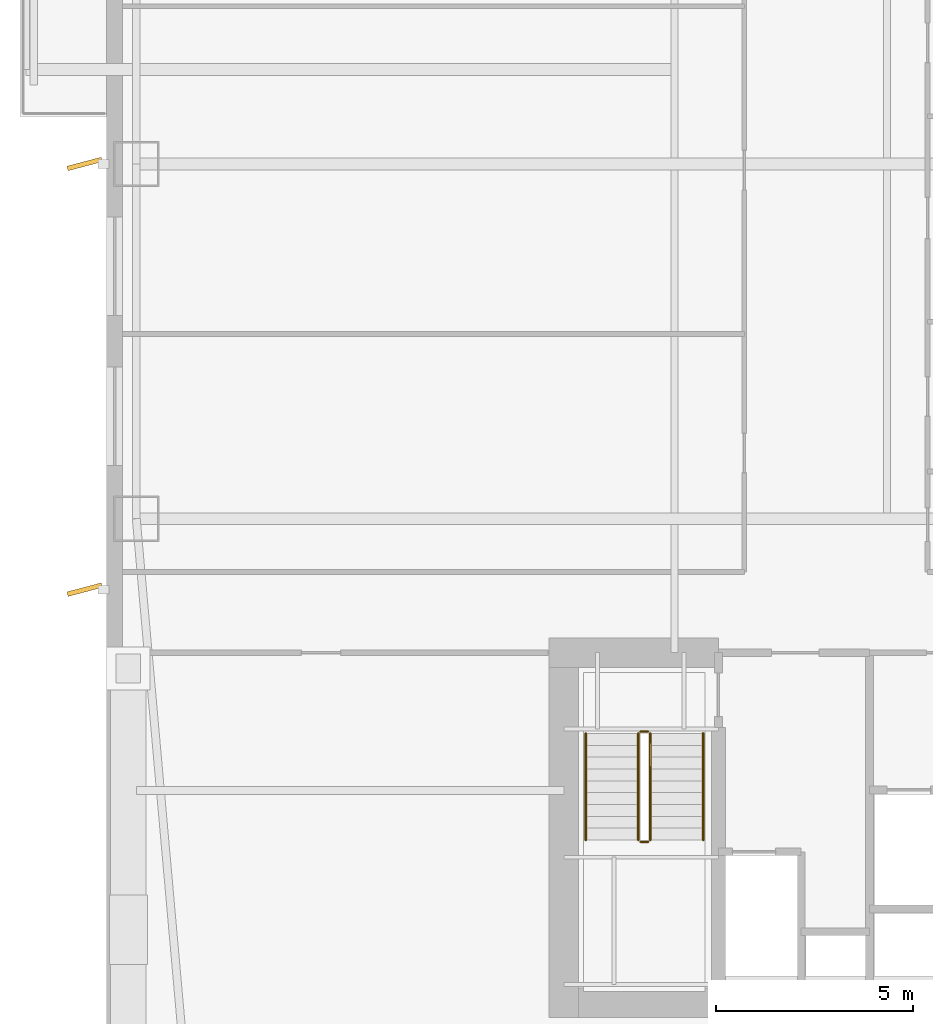
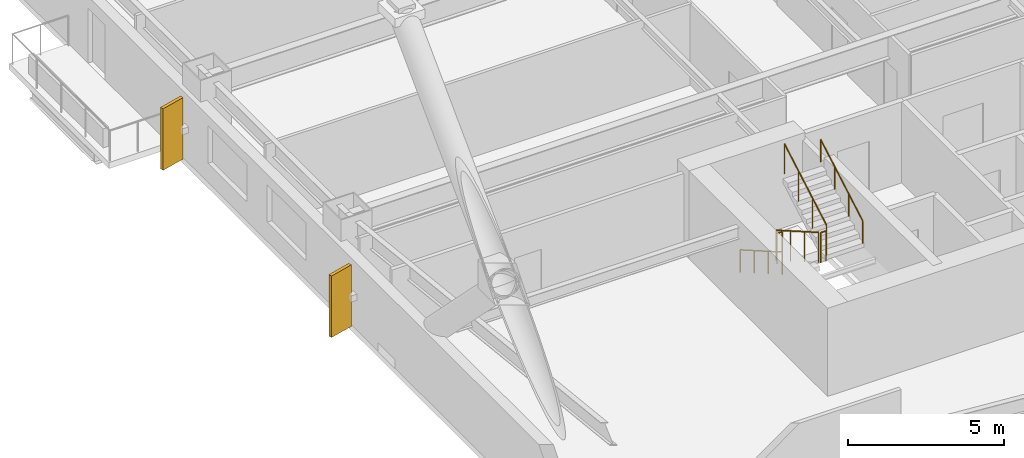
# One storey, part 13 of 18: 6 railings, 2 shading devices.
"""IFC4 building model written with IfcOpenShell, lengths in metres."""

import ifcopenshell
import ifcopenshell.guid

model = None  # the IFC model being written
_history = None  # IfcOwnerHistory: only IFC2X3 demands one
_inside = {}  # id of a spatial element -> (the spatial element, [elements in it])
_under = {}  # id of a project, library or spatial element -> (it, [spatial elements below it])
_declared = {}  # id of a project -> (the project, [libraries it declares])
_typed = {}  # id of a type object -> (the type object, [elements of that type])
_made_of = {}  # id of a material, layer set ... -> (it, [elements and type objects made of it])


def new_model(schema):
    """Start an empty IFC model of exactly this schema.

    Asked for "IFC4X3", IfcOpenShell would pick the latest addendum, in which some entities
    have other attributes; the version numbers below select the first issue.
    IFC2X3 requires an IfcOwnerHistory on every rooted entity: one is made here for all.
    """
    global model, _history
    if schema == "IFC4X3":
        model = ifcopenshell.file(schema_version=(4, 3, 0, 0))
    else:
        model = ifcopenshell.file(schema=schema)
    _inside.clear()
    _under.clear()
    _declared.clear()
    _typed.clear()
    _made_of.clear()
    _history = None
    if model.schema == "IFC2X3":
        org = make("IfcOrganization", Name="unknown")
        user = make(
            "IfcPersonAndOrganization",
            ThePerson=make("IfcPerson", FamilyName="unknown"),
            TheOrganization=org,
        )
        app = make(
            "IfcApplication",
            ApplicationDeveloper=org,
            Version="unknown",
            ApplicationFullName="unknown",
            ApplicationIdentifier="unknown",
        )
        _history = make(
            "IfcOwnerHistory",
            OwningUser=user,
            OwningApplication=app,
            ChangeAction="ADDED",
            CreationDate=0,
        )
    return model


def make(cls, **values):
    """One entity of the class cls with the attributes given. An attribute that is None is left unset."""
    return model.create_entity(
        cls, **{name: value for name, value in values.items() if value is not None}
    )


def rooted(cls, **values):
    """An entity with a GlobalId (a new one), such as an element, a storey or a relation."""
    return make(cls, GlobalId=ifcopenshell.guid.new(), OwnerHistory=_history, **values)


def si_unit(unit_type, name, prefix=None):
    """IfcSIUnit, for example si_unit("LENGTHUNIT", "METRE", prefix="MILLI")."""
    return make("IfcSIUnit", UnitType=unit_type, Prefix=prefix, Name=name)


def assignment(units):
    """IfcUnitAssignment: the units of a project."""
    return None if units is None else make("IfcUnitAssignment", Units=units)


def point(xyz):
    """IfcCartesianPoint."""
    return None if xyz is None else make("IfcCartesianPoint", Coordinates=xyz)


def direction(xyz):
    """IfcDirection."""
    return None if xyz is None else make("IfcDirection", DirectionRatios=xyz)


def frame(location, z_axis=None, x_axis=None):
    """IfcAxis2Placement3D, a coordinate frame: its origin and axes. An axis left out is left unset."""
    return make(
        "IfcAxis2Placement3D",
        Location=point(location),
        Axis=direction(z_axis),
        RefDirection=direction(x_axis),
    )


def frame_2d(location, x_axis=None):
    """IfcAxis2Placement2D, a coordinate frame in the plane: its origin and x axis."""
    return make(
        "IfcAxis2Placement2D", Location=point(location), RefDirection=direction(x_axis)
    )


def origin():
    """The frame at (0, 0, 0) with its axes left unset."""
    return frame((0.0, 0.0, 0.0))


def origin_2d():
    """The frame at (0, 0) in the plane with its x axis left unset."""
    return frame_2d((0.0, 0.0))


def place(relative_to, where):
    """IfcLocalPlacement: puts the frame where relative to a parent placement (None: the world)."""
    return make(
        "IfcLocalPlacement", PlacementRelTo=relative_to, RelativePlacement=where
    )


def context(
    kind, dimensions, precision=None, world=None, true_north=None, identifier=None
):
    """IfcGeometricRepresentationContext, for example the 3D "Model" context."""
    return make(
        "IfcGeometricRepresentationContext",
        ContextIdentifier=identifier,
        ContextType=kind,
        CoordinateSpaceDimension=dimensions,
        Precision=precision,
        WorldCoordinateSystem=world,
        TrueNorth=true_north,
    )


def subcontext(parent, identifier, kind, view, scale=None):
    """IfcGeometricRepresentationSubContext, for example "Body" below "Model"."""
    return make(
        "IfcGeometricRepresentationSubContext",
        ContextIdentifier=identifier,
        ContextType=kind,
        ParentContext=parent,
        TargetScale=scale,
        TargetView=view,
    )


def project(units=None, contexts=None):
    """IfcProject with its units and contexts."""
    return rooted(
        "IfcProject",
        Name="project",
        RepresentationContexts=contexts,
        UnitsInContext=assignment(units),
    )


def spatial(cls, under=None, at=None, **own):
    """A site, building, storey or space (cls), placed at a placement, below another one or the project."""
    s = rooted(cls, ObjectPlacement=at, **own)
    if under is not None:
        _under.setdefault(under.id(), (under, []))[1].append(s)
    return s


def profile(cls, at=None, kind="AREA", **sizes):
    """A parametric profile (cls). Its sizes go by their IFC names, for example OverallWidth=200.0."""
    return make(cls, ProfileType=kind, Position=at, **sizes)


def rectangle(**sizes):
    """IfcRectangleProfileDef."""
    return profile("IfcRectangleProfileDef", **sizes)


def circle(**sizes):
    """IfcCircleProfileDef."""
    return profile("IfcCircleProfileDef", **sizes)


def extrude(swept, where, along, depth):
    """IfcExtrudedAreaSolid: the profile swept, set in the frame where, extruded along a direction by depth."""
    return make(
        "IfcExtrudedAreaSolid",
        SweptArea=swept,
        Position=where,
        ExtrudedDirection=direction(along),
        Depth=depth,
    )


def shape(context_of_items, identifier, shape_type, items):
    """IfcShapeRepresentation: the items that make up one representation, for example the "Body"."""
    return make(
        "IfcShapeRepresentation",
        ContextOfItems=context_of_items,
        RepresentationIdentifier=identifier,
        RepresentationType=shape_type,
        Items=items,
    )


def material(Name=None, Category=None):
    """IfcMaterial."""
    return make("IfcMaterial", Name=Name, Category=Category)


def layer(
    of_material, thickness, ventilated=None, Name=None, Category=None, Priority=None
):
    """IfcMaterialLayer: one layer of a wall or slab, of a material (None: an air gap)."""
    return make(
        "IfcMaterialLayer",
        Material=of_material,
        LayerThickness=thickness,
        IsVentilated=ventilated,
        Name=Name,
        Category=Category,
        Priority=Priority,
    )


def layer_set(layers, Name=None):
    """IfcMaterialLayerSet."""
    return make("IfcMaterialLayerSet", MaterialLayers=layers, LayerSetName=Name)


def made_of(thing, what):
    """Note that an element or type object is made of a material, layer set ...; save() writes the relation."""
    if what is not None:
        _made_of.setdefault(what.id(), (what, []))[1].append(thing)
    return thing


def type_object(cls, material=None, **own):
    """A type object (cls), such as IfcWallType, which elements share."""
    return made_of(rooted(cls, **own), material)


def element(
    cls,
    number,
    at=None,
    inside=None,
    cuts=None,
    type_object=None,
    material=None,
    context=None,
    identifier="Body",
    shape_type=None,
    held_by="IfcProductDefinitionShape",
    body=None,
    shapes=None,
    **own,
):
    """One element of the class cls, such as IfcWall. Its Tag is "e" and its number.

    at: its placement. inside: the storey or other place that contains it. cuts: it is an
    opening in that element (IfcRelVoidsElement). A single representation is given by context,
    identifier, shape_type and body (its items); several are given by shapes. held_by: the class
    of the entity that holds the representations. save() writes the other relations.
    """
    e = rooted(cls, Tag="e%d" % number, ObjectPlacement=at, **own)
    if body is not None:
        shapes = [shape(context, identifier, shape_type, body)]
    if shapes is not None:
        e.Representation = make(held_by, Representations=shapes)
    if inside is not None:
        _inside.setdefault(inside.id(), (inside, []))[1].append(e)
    if cuts is not None:
        rooted(
            "IfcRelVoidsElement", RelatingBuildingElement=cuts, RelatedOpeningElement=e
        )
    if type_object is not None:
        _typed.setdefault(type_object.id(), (type_object, []))[1].append(e)
    return made_of(e, material)


def aggregate(whole, parts):
    """IfcRelAggregates: a whole, such as a stair, and the parts it consists of."""
    return rooted("IfcRelAggregates", RelatingObject=whole, RelatedObjects=parts)


def save(model, path):
    """Write the relations noted so far, then the file.

    IfcRelAggregates (storeys below a building ...), IfcRelContainedInSpatialStructure (elements
    in a storey), IfcRelDefinesByType, IfcRelAssociatesMaterial and IfcRelDeclares: one each for
    every whole, place, type object, material and project.
    """
    for whole, parts in _under.values():
        aggregate(whole, parts)
    for where, things in _inside.values():
        rooted(
            "IfcRelContainedInSpatialStructure",
            RelatedElements=things,
            RelatingStructure=where,
        )
    for kind, things in _typed.values():
        rooted("IfcRelDefinesByType", RelatedObjects=things, RelatingType=kind)
    for what, things in _made_of.values():
        rooted("IfcRelAssociatesMaterial", RelatedObjects=things, RelatingMaterial=what)
    for by, libraries in _declared.values():
        rooted("IfcRelDeclares", RelatingContext=by, RelatedDefinitions=libraries)
    model.write(path)


model = new_model("IFC4")

# Units and contexts
model_context = context("Model", 3, precision=1e-05, world=origin(), true_north=direction((0.0, 1.0)))
body_context = subcontext(model_context, "Body", "Model", "MODEL_VIEW")
ifc_project = project(units=[si_unit("LENGTHUNIT", "METRE"), si_unit("AREAUNIT", "SQUARE_METRE"), si_unit("VOLUMEUNIT", "CUBIC_METRE"), si_unit("PLANEANGLEUNIT", "RADIAN"), si_unit("MASSUNIT", "GRAM", prefix="KILO")], contexts=[model_context])

# Site, building, storey
site_placement = place(None, origin())
site = spatial("IfcSite", under=ifc_project, at=site_placement, CompositionType="ELEMENT")
building_placement = place(site_placement, origin())
building = spatial("IfcBuilding", under=site, at=building_placement, Name="Qiaolan Cultural Towers", CompositionType="ELEMENT")
storey_placement = place(building_placement, frame((0.0, 0.0, 57.5)))
storey = spatial("IfcBuildingStorey", under=building, at=storey_placement, Name="L13", CompositionType="ELEMENT", Elevation=57.5)

# Railings
ifc_material_1 = material(Name="Galvanized Painted Steel Stair Guardrail", Category="steel")
railing_type_1 = type_object("IfcRailingType", Name="RL-STAIR-GRD", PredefinedType="GUARDRAIL", material=ifc_material_1)
railing_1_placement = place(storey_placement, frame((23.68994140625, 19.550048828125, 0.172607421875)))
element("IfcRailing", 1, at=railing_1_placement, inside=storey, type_object=railing_type_1, Name="L13 ST-W1 stair guard 1", PredefinedType="GUARDRAIL", context=body_context, shape_type="SweptSolid", body=[
    extrude(circle(Radius=0.02392578125, at=origin_2d()), frame((0.0, 0.0, 1.17578125), z_axis=(0.0, -0.866903762492, 0.498475542607), x_axis=(1.0, 0.0, 0.0)), (0.0, 0.0, 1.0), 3.114501953125),
    extrude(circle(Radius=0.02099609375, at=origin_2d()), origin(), (0.0, 0.0, 1.0), 1.15185546875),
    extrude(circle(Radius=0.02099609375, at=origin_2d()), frame((0.0, -0.89990234375, 0.517578125)), (0.0, 0.0, 1.0), 1.15185546875),
    extrude(circle(Radius=0.02099609375, at=origin_2d()), frame((0.0, -1.800048828125, 1.034912109375)), (0.0, 0.0, 1.0), 1.15185546875),
    extrude(circle(Radius=0.02099609375, at=origin_2d()), frame((0.0, -2.699951171875, 1.552490234375)), (0.0, 0.0, 1.0), 1.15185546875),
])
railing_2_placement = place(storey_placement, frame((23.739990234375, 16.800048828125, 1.72509765625)))
element("IfcRailing", 2, at=railing_2_placement, inside=storey, type_object=railing_type_1, Name="L13 ST-W1 stair guard 2", PredefinedType="GUARDRAIL", context=body_context, shape_type="SweptSolid", body=[
    extrude(circle(Radius=0.02392578125, at=origin_2d()), frame((0.0, 0.0, 1.17578125), z_axis=(1.0, 0.0, 0.0), x_axis=(0.0, 1.0, 0.0)), (0.0, 0.0, 1.0), 0.199951171875),
    extrude(circle(Radius=0.02099609375, at=origin_2d()), origin(), (0.0, 0.0, 1.0), 1.15185546875),
    extrude(circle(Radius=0.02099609375, at=origin_2d()), frame((0.199951171875, 0.0, 0.0)), (0.0, 0.0, 1.0), 1.15185546875),
])
railing_3_placement = place(storey_placement, frame((23.989990234375, 16.85009765625, 1.8974609375)))
element("IfcRailing", 3, at=railing_3_placement, inside=storey, type_object=railing_type_1, Name="L13 ST-W1 stair guard 3", PredefinedType="GUARDRAIL", context=body_context, shape_type="SweptSolid", body=[
    extrude(circle(Radius=0.02392578125, at=origin_2d()), frame((0.0, 0.0, 1.17578125), z_axis=(0.0, 0.866903762492, 0.498475542607), x_axis=(-1.0, 0.0, 0.0)), (0.0, 0.0, 1.0), 3.114501953125),
    extrude(circle(Radius=0.02099609375, at=origin_2d()), origin(), (0.0, 0.0, 1.0), 1.15185546875),
    extrude(circle(Radius=0.02099609375, at=origin_2d()), frame((0.0, 0.89990234375, 0.517578125)), (0.0, 0.0, 1.0), 1.15185546875),
    extrude(circle(Radius=0.02099609375, at=origin_2d()), frame((0.0, 1.800048828125, 1.034912109375)), (0.0, 0.0, 1.0), 1.15185546875),
    extrude(circle(Radius=0.02099609375, at=origin_2d()), frame((0.0, 2.699951171875, 1.552490234375)), (0.0, 0.0, 1.0), 1.15185546875),
])
railing_4_placement = place(storey_placement, frame((23.739990234375, 19.60009765625, 0.0)))
element("IfcRailing", 4, at=railing_4_placement, inside=storey, type_object=railing_type_1, Name="L13 ST-W1 stair guard 4", PredefinedType="GUARDRAIL", context=body_context, shape_type="SweptSolid", body=[
    extrude(circle(Radius=0.02392578125, at=origin_2d()), frame((0.0, 0.0, 1.17578125), z_axis=(1.0, 0.0, 0.0), x_axis=(0.0, 1.0, 0.0)), (0.0, 0.0, 1.0), 0.199951171875),
    extrude(circle(Radius=0.02099609375, at=origin_2d()), origin(), (0.0, 0.0, 1.0), 1.15185546875),
    extrude(circle(Radius=0.02099609375, at=origin_2d()), frame((0.199951171875, 0.0, 0.0)), (0.0, 0.0, 1.0), 1.15185546875),
])
ifc_material_2 = material(Name="Stainless Steel S30408 Tubular Handrail", Category="steel")
railing_type_2 = type_object("IfcRailingType", Name="RL-STAIR-HR", PredefinedType="HANDRAIL", material=ifc_material_2)
railing_5_placement = place(storey_placement, frame((22.35009765625, 19.550048828125, 0.172607421875)))
element("IfcRailing", 5, at=railing_5_placement, inside=storey, type_object=railing_type_2, Name="L13 ST-W1 stair handrail 1", PredefinedType="HANDRAIL", context=body_context, shape_type="SweptSolid", body=[
    extrude(circle(Radius=0.02392578125, at=origin_2d()), frame((0.0, 0.0, 0.8759765625), z_axis=(0.0, -0.866903762492, 0.498475542607), x_axis=(1.0, 0.0, 0.0)), (0.0, 0.0, 1.0), 3.114501953125),
    extrude(circle(Radius=0.02099609375, at=origin_2d()), origin(), (0.0, 0.0, 1.0), 0.851806640625),
    extrude(circle(Radius=0.02099609375, at=origin_2d()), frame((0.0, -0.89990234375, 0.517578125)), (0.0, 0.0, 1.0), 0.851806640625),
    extrude(circle(Radius=0.02099609375, at=origin_2d()), frame((0.0, -1.800048828125, 1.034912109375)), (0.0, 0.0, 1.0), 0.851806640625),
    extrude(circle(Radius=0.02099609375, at=origin_2d()), frame((0.0, -2.699951171875, 1.552490234375)), (0.0, 0.0, 1.0), 0.851806640625),
])
railing_6_placement = place(storey_placement, frame((25.330078125, 16.85009765625, 1.8974609375)))
element("IfcRailing", 6, at=railing_6_placement, inside=storey, type_object=railing_type_2, Name="L13 ST-W1 stair handrail 2", PredefinedType="HANDRAIL", context=body_context, shape_type="SweptSolid", body=[
    extrude(circle(Radius=0.02392578125, at=origin_2d()), frame((0.0, 0.0, 0.8759765625), z_axis=(0.0, 0.866903762492, 0.498475542607), x_axis=(-1.0, 0.0, 0.0)), (0.0, 0.0, 1.0), 3.114501953125),
    extrude(circle(Radius=0.02099609375, at=origin_2d()), origin(), (0.0, 0.0, 1.0), 0.851806640625),
    extrude(circle(Radius=0.02099609375, at=origin_2d()), frame((0.0, 0.89990234375, 0.517578125)), (0.0, 0.0, 1.0), 0.851806640625),
    extrude(circle(Radius=0.02099609375, at=origin_2d()), frame((0.0, 1.800048828125, 1.034912109375)), (0.0, 0.0, 1.0), 0.851806640625),
    extrude(circle(Radius=0.02099609375, at=origin_2d()), frame((0.0, 2.699951171875, 1.552490234375)), (0.0, 0.0, 1.0), 0.851806640625),
])

# Shading devices
ifc_material_3 = material(Name="Dark Basalt Honed Precast Terracotta Fin", Category="masonry")
ifc_layer = layer(ifc_material_3, 0.1201171875)
ifc_layer_set = layer_set([ifc_layer], Name="Dark Basalt Honed Precast Terracotta Fin")
shading_device_type = type_object("IfcShadingDeviceType", Name="SHD-FIN-DARK", PredefinedType="USERDEFINED", material=ifc_layer_set)
for number, where, z_axis, x_axis, name in (
    (7, (9.639892578125, 23.199951171875, 0.10009765625), (0.0, 0.0, 1.0), (0.966947591282, 0.254975206077, 0.0), "L13 T1 Expressive Precast Vertical Fin W1"),
    (8, (9.639892578125, 34.0, 0.10009765625), (0.0, 0.0, 1.0), (0.966947591282, 0.254975206077, 0.0), "L13 T1 Expressive Precast Vertical Fin W2"),
):
    element("IfcShadingDevice", number, at=place(storey_placement, frame(where, z_axis=z_axis, x_axis=x_axis)), inside=storey, type_object=shading_device_type, Name=name, ObjectType="FIN", PredefinedType="USERDEFINED", context=body_context, shape_type="SweptSolid", body=[
        extrude(rectangle(XDim=0.89990234375, YDim=0.1201171875, at=origin_2d()), origin(), (0.0, 0.0, 1.0), 2.409912109375),
    ])

save(model, "model.ifc")
